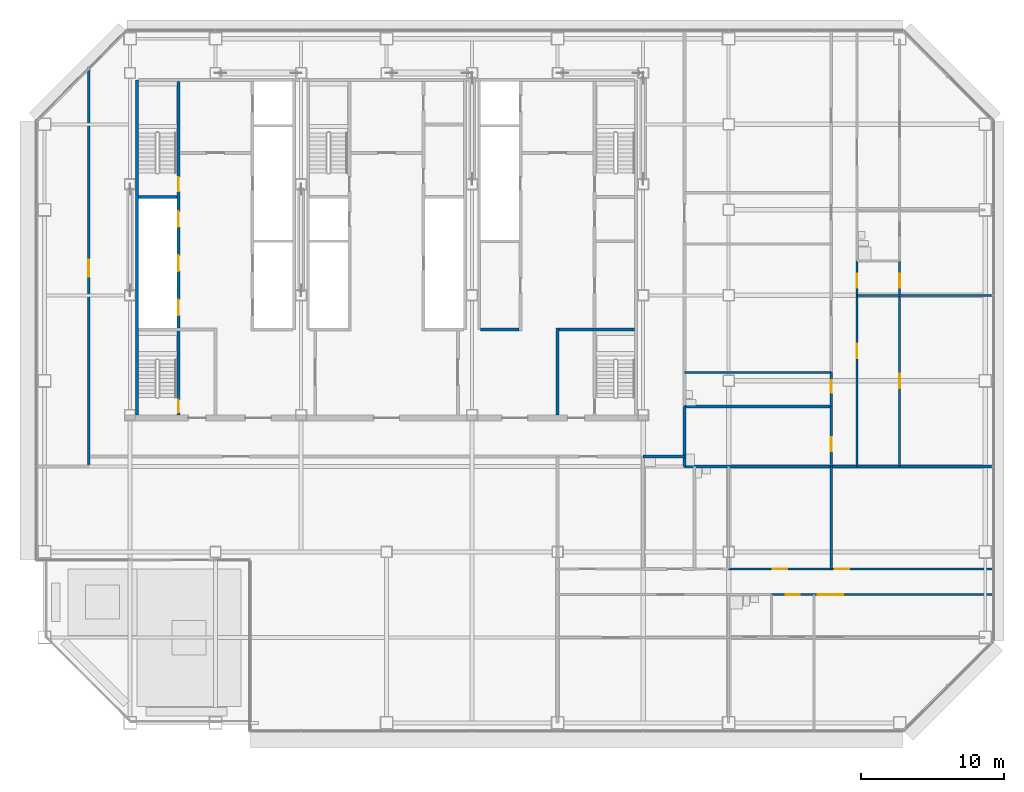
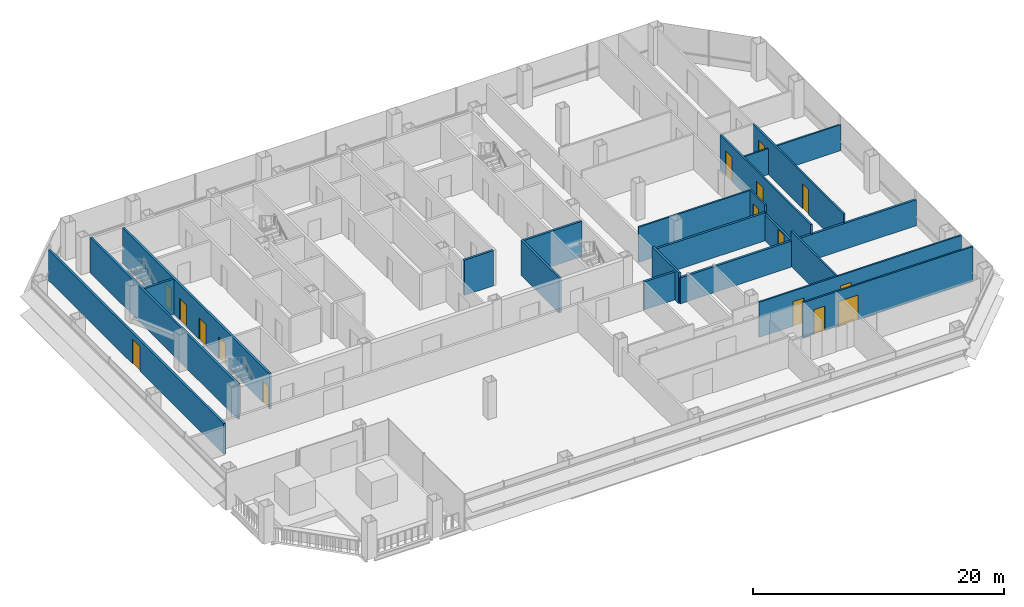
# One storey, part 21 of 28: 21 walls, 16 doors, 16 openings.
"""IFC4 building model written with IfcOpenShell, lengths in metres."""

from ifc_helpers import new_model, si_unit, direction, frame, frame_2d, origin, place, context, subcontext, project, spatial, rectangle, extrude, material, layer, layer_set, type_object, element, fill, save


model = new_model("IFC4")

# Units and contexts
model_context = context("Model", 3, precision=1e-05, world=origin(), true_north=direction((0.0, 1.0)))
body_context = subcontext(model_context, "Body", "Model", "MODEL_VIEW")
ifc_project = project(units=[si_unit("LENGTHUNIT", "METRE"), si_unit("AREAUNIT", "SQUARE_METRE"), si_unit("VOLUMEUNIT", "CUBIC_METRE"), si_unit("PLANEANGLEUNIT", "RADIAN"), si_unit("MASSUNIT", "GRAM", prefix="KILO")], contexts=[model_context])

# Site, building, storey
site_placement = place(None, origin())
site = spatial("IfcSite", under=ifc_project, at=site_placement, CompositionType="ELEMENT")
building_placement = place(site_placement, origin())
building = spatial("IfcBuilding", under=site, at=building_placement, Name="Sorahane Residences", CompositionType="ELEMENT")
storey_placement = place(building_placement, frame((0.0, 0.0, 60.60009765625)))
storey = spatial("IfcBuildingStorey", under=building, at=storey_placement, Name="L11", CompositionType="ELEMENT", Elevation=60.60009765625)

# Wall
ifc_material_1 = material(Name="Concrete C30", Category="concrete")
ifc_layer_1 = layer(ifc_material_1, 0.199951171875)
ifc_layer_set_1 = layer_set([ifc_layer_1], Name="Core face wall 200 EI 180")
wall_type_1 = type_object("IfcWallType", Name="Core face wall 200 EI 180", PredefinedType="SOLIDWALL", material=ifc_layer_set_1)
wall_1_placement = place(storey_placement, frame((6.5, 21.60009765625, 0.0), z_axis=(0.0, 0.0, 1.0), x_axis=(0.0, 1.0, 0.0)))
element("IfcWall", 1, at=wall_1_placement, inside=storey, type_object=wall_type_1, Name="L11 core face wall", PredefinedType="SOLIDWALL", context=body_context, shape_type="SweptSolid", body=[
    extrude(rectangle(XDim=23.5, YDim=0.199951171875, at=frame_2d((11.75, 0.0))), origin(), (0.0, 0.0, 1.0), 3.419921875),
])

# Wall, opening, door
ifc_material_2 = material(Name="Concrete blockwork C20 wall", Category="masonry")
ifc_layer_2 = layer(ifc_material_2, 0.199951171875)
ifc_layer_set_2 = layer_set([ifc_layer_2], Name="Corridor wall 200 EI 120")
wall_type_2 = type_object("IfcWallType", Name="Corridor wall 200 EI 120", PredefinedType="SOLIDWALL", material=ifc_layer_set_2)
wall_2_placement = place(storey_placement, frame((3.10009765625, 18.001953125, 0.0), z_axis=(0.0, 0.0, 1.0), x_axis=(0.0, 1.0, 0.0)))
wall_2 = element("IfcWall", 2, at=wall_2_placement, inside=storey, type_object=wall_type_2, Name="L11 corridor wall", PredefinedType="SOLIDWALL", context=body_context, shape_type="SweptSolid", body=[
    extrude(rectangle(XDim=27.947021484375, YDim=0.199951171875, at=frame_2d((13.9736328125, 0.0))), origin(), (0.0, 0.0, 1.0), 2.969970703125),
])
opening_1_placement = place(wall_2_placement, frame((13.300048828125, 0.0, 0.0)))
opening_1 = element("IfcOpeningElement", 3, at=opening_1_placement, cuts=wall_2, Name="Opening L11-28", PredefinedType="OPENING", context=body_context, shape_type="SweptSolid", body=[
    extrude(rectangle(XDim=1.199951171875, YDim=2.39990234375, at=frame_2d((0.60009765625, 1.199951171875))), frame((0.0, 0.10986328125, 0.0), z_axis=(0.0, -1.0, 0.0), x_axis=(1.0, 0.0, 0.0)), (0.0, 0.0, 1.0), 0.219970703125),
])
ifc_material_3 = material(Name="Steel", Category="steel")
door_type_1 = type_object("IfcDoorType", Name="Lobby door 1200x2400 FD60", OperationType="NOTDEFINED", PredefinedType="DOOR", material=ifc_material_3)
door_1_placement = place(opening_1_placement, origin())
door_1 = element("IfcDoor", 4, at=door_1_placement, inside=storey, type_object=door_type_1, Name="Lobby door L11-28", OperationType="SINGLE_SWING_RIGHT", OverallHeight=2.39990234375, OverallWidth=1.199951171875, PredefinedType="DOOR", context=body_context, shape_type="SweptSolid", body=[
    extrude(rectangle(XDim=1.199951171875, YDim=2.39990234375, at=frame_2d((0.60009765625, 1.199951171875))), frame((0.0, 0.02490234375, 0.0), z_axis=(0.0, -1.0, 0.0), x_axis=(1.0, 0.0, 0.0)), (0.0, 0.0, 1.0), 0.050048828125),
])
fill(opening_1, door_1)

# Walls
ifc_material_4 = material(Name="Concrete C30", Category="concrete")
ifc_layer_3 = layer(ifc_material_4, 0.199951171875)
ifc_layer_set_3 = layer_set([ifc_layer_3], Name="Front room wall 200 EI 120")
wall_type_3 = type_object("IfcWallType", Name="Front room wall 200 EI 120", PredefinedType="PARTITIONING", material=ifc_layer_set_3)
wall_3_placement = place(storey_placement, frame((36.0, 21.60009765625, 0.0), z_axis=(0.0, 0.0, 1.0), x_axis=(0.0, 1.0, 0.0)))
element("IfcWall", 5, at=wall_3_placement, inside=storey, type_object=wall_type_3, Name="L11 front room wall", PredefinedType="PARTITIONING", context=body_context, shape_type="SweptSolid", body=[
    extrude(rectangle(XDim=6.099853515625, YDim=0.199951171875, at=frame_2d((3.0498046875, 0.0))), origin(), (0.0, 0.0, 1.0), 3.419921875),
])
ifc_material_5 = material(Name="Concrete blockwork C20 wall", Category="masonry")
ifc_layer_4 = layer(ifc_material_5, 0.199951171875)
ifc_layer_set_4 = layer_set([ifc_layer_4], Name="Kitchen wall 200 EI 180")
wall_type_4 = type_object("IfcWallType", Name="Kitchen wall 200 EI 180", PredefinedType="SOLIDWALL", material=ifc_layer_set_4)
wall_4_placement = place(storey_placement, frame((44.89990234375, 18.0, 0.0), z_axis=(0.0, 0.0, 1.0), x_axis=(0.0, 1.0, 0.0)))
element("IfcWall", 6, at=wall_4_placement, inside=storey, type_object=wall_type_4, Name="L11 kitchen wall", PredefinedType="SOLIDWALL", context=body_context, shape_type="SweptSolid", body=[
    extrude(rectangle(XDim=4.199951171875, YDim=0.199951171875, at=frame_2d((2.10009765625, 0.0))), origin(), (0.0, 0.0, 1.0), 2.969970703125),
])

# Wall, opening, door
wall_5_placement = place(storey_placement, frame((55.199951171875, 18.0, 0.0), z_axis=(0.0, 0.0, 1.0), x_axis=(0.0, 1.0, 0.0)))
wall_5 = element("IfcWall", 7, at=wall_5_placement, inside=storey, type_object=wall_type_4, Name="L11 kitchen wall", PredefinedType="SOLIDWALL", context=body_context, shape_type="SweptSolid", body=[
    extrude(rectangle(XDim=4.199951171875, YDim=0.199951171875, at=frame_2d((2.10009765625, 0.0))), origin(), (0.0, 0.0, 1.0), 2.52001953125),
])
opening_2_placement = place(wall_5_placement, frame((1.06005859375, 0.0, 0.0)))
opening_2 = element("IfcOpeningElement", 8, at=opening_2_placement, cuts=wall_5, Name="Opening L11-14", PredefinedType="OPENING", context=body_context, shape_type="SweptSolid", body=[
    extrude(rectangle(XDim=1.0, YDim=2.39990234375, at=frame_2d((0.5, 1.199951171875))), frame((0.0, 0.10986328125, 0.0), z_axis=(0.0, -1.0, 0.0), x_axis=(1.0, 0.0, 0.0)), (0.0, 0.0, 1.0), 0.219970703125),
])
ifc_material_6 = material(Name="Steel", Category="steel")
door_type_2 = type_object("IfcDoorType", Name="Kitchen door 1000x2400 FD120", OperationType="NOTDEFINED", PredefinedType="DOOR", material=ifc_material_6)
door_2_placement = place(opening_2_placement, origin())
door_2 = element("IfcDoor", 9, at=door_2_placement, inside=storey, type_object=door_type_2, Name="Kitchen door L11-14", OperationType="SINGLE_SWING_RIGHT", OverallHeight=2.39990234375, OverallWidth=1.0, PredefinedType="DOOR", context=body_context, shape_type="SweptSolid", body=[
    extrude(rectangle(XDim=1.0, YDim=2.39990234375, at=frame_2d((0.5, 1.199951171875))), frame((0.0, 0.02490234375, 0.0), z_axis=(0.0, -1.0, 0.0), x_axis=(1.0, 0.0, 0.0)), (0.0, 0.0, 1.0), 0.050048828125),
])
fill(opening_2, door_2)

# Walls
wall_6_placement = place(storey_placement, frame((44.89990234375, 18.0, 0.0), z_axis=(0.0, 0.0, 1.0), x_axis=(1.0, 0.0, 0.0)))
element("IfcWall", 10, at=wall_6_placement, inside=storey, type_object=wall_type_4, Name="L11 kitchen wall", PredefinedType="SOLIDWALL", context=body_context, shape_type="SweptSolid", body=[
    extrude(rectangle(XDim=10.300048828125, YDim=0.199951171875, at=frame_2d((5.14990234375, 0.0))), origin(), (0.0, 0.0, 1.0), 2.52001953125),
])
wall_7_placement = place(storey_placement, frame((42.0, 18.699951171875, 0.0), z_axis=(0.0, 0.0, 1.0), x_axis=(1.0, 0.0, 0.0)))
element("IfcWall", 11, at=wall_7_placement, inside=storey, type_object=wall_type_4, Name="L11 kitchen wall", PredefinedType="SOLIDWALL", context=body_context, shape_type="SweptSolid", body=[
    extrude(rectangle(XDim=2.89990234375, YDim=0.199951171875, at=frame_2d((1.449951171875, 0.0))), origin(), (0.0, 0.0, 1.0), 2.719970703125),
])
wall_8_placement = place(storey_placement, frame((44.89990234375, 22.199951171875, 0.0), z_axis=(0.0, 0.0, 1.0), x_axis=(1.0, 0.0, 0.0)))
element("IfcWall", 12, at=wall_8_placement, inside=storey, type_object=wall_type_4, Name="L11 kitchen wall", PredefinedType="SOLIDWALL", context=body_context, shape_type="SweptSolid", body=[
    extrude(rectangle(XDim=10.300048828125, YDim=0.199951171875, at=frame_2d((5.14990234375, 0.0))), origin(), (0.0, 0.0, 1.0), 2.719970703125),
])
ifc_material_7 = material(Name="Gypsum board partition on steel studs", Category="steel")
ifc_layer_5 = layer(ifc_material_7, 0.14990234375)
ifc_layer_set_5 = layer_set([ifc_layer_5], Name="Partition 150 EI 90")
wall_type_5 = type_object("IfcWallType", Name="Partition 150 EI 90", PredefinedType="PARTITIONING", material=ifc_layer_set_5)
wall_9_placement = place(storey_placement, frame((55.199951171875, 10.800048828125, 0.0), z_axis=(0.0, 0.0, 1.0), x_axis=(0.0, 1.0, 0.0)))
element("IfcWall", 13, at=wall_9_placement, inside=storey, type_object=wall_type_5, Name="L11 partition", PredefinedType="PARTITIONING", context=body_context, shape_type="SweptSolid", body=[
    extrude(rectangle(XDim=7.199951171875, YDim=0.14990234375, at=frame_2d((3.60009765625, 0.0))), origin(), (0.0, 0.0, 1.0), 3.419921875),
])

# Wall, openings, doors
wall_10_placement = place(storey_placement, frame((57.0, 18.0, 0.0), z_axis=(0.0, 0.0, 1.0), x_axis=(0.0, 1.0, 0.0)))
wall_10 = element("IfcWall", 14, at=wall_10_placement, inside=storey, type_object=wall_type_5, Name="L11 partition", PredefinedType="PARTITIONING", context=body_context, shape_type="SweptSolid", body=[
    extrude(rectangle(XDim=14.39990234375, YDim=0.14990234375, at=frame_2d((7.199951171875, 0.0))), origin(), (0.0, 0.0, 1.0), 3.419921875),
])
opening_3_placement = place(wall_10_placement, frame((7.60009765625, 0.0, 0.0)))
opening_3 = element("IfcOpeningElement", 15, at=opening_3_placement, cuts=wall_10, Name="Opening L11-18", PredefinedType="OPENING", context=body_context, shape_type="SweptSolid", body=[
    extrude(rectangle(XDim=1.0, YDim=2.39990234375, at=frame_2d((0.5, 1.199951171875))), frame((0.0, 0.0849609375, 0.0), z_axis=(0.0, -1.0, 0.0), x_axis=(1.0, 0.0, 0.0)), (0.0, 0.0, 1.0), 0.169921875),
])
opening_4_placement = place(wall_10_placement, frame((12.52001953125, 0.0, 0.0)))
opening_4 = element("IfcOpeningElement", 16, at=opening_4_placement, cuts=wall_10, Name="Opening L11-19", PredefinedType="OPENING", context=body_context, shape_type="SweptSolid", body=[
    extrude(rectangle(XDim=1.0, YDim=2.39990234375, at=frame_2d((0.5, 1.199951171875))), frame((0.0, 0.0849609375, 0.0), z_axis=(0.0, -1.0, 0.0), x_axis=(1.0, 0.0, 0.0)), (0.0, 0.0, 1.0), 0.169921875),
])
ifc_material_8 = material(Name="Timber veneered fire door", Category="wood")
door_type_3 = type_object("IfcDoorType", Name="Room door 1000x2400 FD30", OperationType="NOTDEFINED", PredefinedType="DOOR", material=ifc_material_8)
door_3_placement = place(opening_3_placement, frame((1.0, 0.0, 0.0), z_axis=(0.0, 0.0, 1.0), x_axis=(-1.0, 0.0, 0.0)))
door_3 = element("IfcDoor", 17, at=door_3_placement, inside=storey, type_object=door_type_3, Name="Room door L11-18", OperationType="SINGLE_SWING_RIGHT", OverallHeight=2.39990234375, OverallWidth=1.0, PredefinedType="DOOR", context=body_context, shape_type="SweptSolid", body=[
    extrude(rectangle(XDim=1.0, YDim=2.39990234375, at=frame_2d((0.5, 1.199951171875))), frame((0.0, 0.02490234375, 0.0), z_axis=(0.0, -1.0, 0.0), x_axis=(1.0, 0.0, 0.0)), (0.0, 0.0, 1.0), 0.050048828125),
])
fill(opening_3, door_3)
door_4_placement = place(opening_4_placement, frame((1.0, 0.0, 0.0), z_axis=(0.0, 0.0, 1.0), x_axis=(-1.0, 0.0, 0.0)))
door_4 = element("IfcDoor", 18, at=door_4_placement, inside=storey, type_object=door_type_3, Name="Room door L11-19", OperationType="SINGLE_SWING_LEFT", OverallHeight=2.39990234375, OverallWidth=1.0, PredefinedType="DOOR", context=body_context, shape_type="SweptSolid", body=[
    extrude(rectangle(XDim=1.0, YDim=2.39990234375, at=frame_2d((0.5, 1.199951171875))), frame((0.0, 0.02490234375, 0.0), z_axis=(0.0, -1.0, 0.0), x_axis=(1.0, 0.0, 0.0)), (0.0, 0.0, 1.0), 0.050048828125),
])
fill(opening_4, door_4)

wall_11_placement = place(storey_placement, frame((60.0, 18.0, 0.0), z_axis=(0.0, 0.0, 1.0), x_axis=(0.0, 1.0, 0.0)))
wall_11 = element("IfcWall", 19, at=wall_11_placement, inside=storey, type_object=wall_type_5, Name="L11 partition", PredefinedType="PARTITIONING", context=body_context, shape_type="SweptSolid", body=[
    extrude(rectangle(XDim=14.39990234375, YDim=0.14990234375, at=frame_2d((7.199951171875, 0.0))), origin(), (0.0, 0.0, 1.0), 3.419921875),
])
opening_5_placement = place(wall_11_placement, frame((5.5, 0.0, 0.0)))
opening_5 = element("IfcOpeningElement", 20, at=opening_5_placement, cuts=wall_11, Name="Opening L11-21", PredefinedType="OPENING", context=body_context, shape_type="SweptSolid", body=[
    extrude(rectangle(XDim=1.0, YDim=2.39990234375, at=frame_2d((0.5, 1.199951171875))), frame((0.0, 0.0849609375, 0.0), z_axis=(0.0, -1.0, 0.0), x_axis=(1.0, 0.0, 0.0)), (0.0, 0.0, 1.0), 0.169921875),
])
opening_6_placement = place(wall_11_placement, frame((12.52001953125, 0.0, 0.0)))
opening_6 = element("IfcOpeningElement", 21, at=opening_6_placement, cuts=wall_11, Name="Opening L11-22", PredefinedType="OPENING", context=body_context, shape_type="SweptSolid", body=[
    extrude(rectangle(XDim=1.0, YDim=2.39990234375, at=frame_2d((0.5, 1.199951171875))), frame((0.0, 0.0849609375, 0.0), z_axis=(0.0, -1.0, 0.0), x_axis=(1.0, 0.0, 0.0)), (0.0, 0.0, 1.0), 0.169921875),
])
door_5_placement = place(opening_5_placement, frame((1.0, 0.0, 0.0), z_axis=(0.0, 0.0, 1.0), x_axis=(-1.0, 0.0, 0.0)))
door_5 = element("IfcDoor", 22, at=door_5_placement, inside=storey, type_object=door_type_3, Name="Room door L11-21", OperationType="SINGLE_SWING_RIGHT", OverallHeight=2.39990234375, OverallWidth=1.0, PredefinedType="DOOR", context=body_context, shape_type="SweptSolid", body=[
    extrude(rectangle(XDim=1.0, YDim=2.39990234375, at=frame_2d((0.5, 1.199951171875))), frame((0.0, 0.02490234375, 0.0), z_axis=(0.0, -1.0, 0.0), x_axis=(1.0, 0.0, 0.0)), (0.0, 0.0, 1.0), 0.050048828125),
])
fill(opening_5, door_5)
door_6_placement = place(opening_6_placement, frame((1.0, 0.0, 0.0), z_axis=(0.0, 0.0, 1.0), x_axis=(-1.0, 0.0, 0.0)))
door_6 = element("IfcDoor", 23, at=door_6_placement, inside=storey, type_object=door_type_3, Name="Room door L11-22", OperationType="SINGLE_SWING_LEFT", OverallHeight=2.39990234375, OverallWidth=1.0, PredefinedType="DOOR", context=body_context, shape_type="SweptSolid", body=[
    extrude(rectangle(XDim=1.0, YDim=2.39990234375, at=frame_2d((0.5, 1.199951171875))), frame((0.0, 0.02490234375, 0.0), z_axis=(0.0, -1.0, 0.0), x_axis=(1.0, 0.0, 0.0)), (0.0, 0.0, 1.0), 0.050048828125),
])
fill(opening_6, door_6)

wall_12_placement = place(storey_placement, frame((48.0, 10.800048828125, 0.0), z_axis=(0.0, 0.0, 1.0), x_axis=(1.0, 0.0, 0.0)))
wall_12 = element("IfcWall", 24, at=wall_12_placement, inside=storey, type_object=wall_type_5, Name="L11 partition", PredefinedType="PARTITIONING", context=body_context, shape_type="SweptSolid", body=[
    extrude(rectangle(XDim=18.60009765625, YDim=0.14990234375, at=frame_2d((9.300048828125, 0.0))), origin(), (0.0, 0.0, 1.0), 3.419921875),
])
opening_7_placement = place(wall_12_placement, frame((3.10009765625, 0.0, 0.0)))
opening_7 = element("IfcOpeningElement", 25, at=opening_7_placement, cuts=wall_12, Name="Opening L11-04", PredefinedType="OPENING", context=body_context, shape_type="SweptSolid", body=[
    extrude(rectangle(XDim=1.0, YDim=2.39990234375, at=frame_2d((0.5, 1.199951171875))), frame((0.0, 0.0849609375, 0.0), z_axis=(0.0, -1.0, 0.0), x_axis=(1.0, 0.0, 0.0)), (0.0, 0.0, 1.0), 0.169921875),
])
opening_8_placement = place(wall_12_placement, frame((7.449951171875, 0.0, 0.0)))
opening_8 = element("IfcOpeningElement", 26, at=opening_8_placement, cuts=wall_12, Name="Opening L11-05", PredefinedType="OPENING", context=body_context, shape_type="SweptSolid", body=[
    extrude(rectangle(XDim=1.0, YDim=2.39990234375, at=frame_2d((0.5, 1.199951171875))), frame((0.0, 0.0849609375, 0.0), z_axis=(0.0, -1.0, 0.0), x_axis=(1.0, 0.0, 0.0)), (0.0, 0.0, 1.0), 0.169921875),
])
door_7_placement = place(opening_7_placement, origin())
door_7 = element("IfcDoor", 27, at=door_7_placement, inside=storey, type_object=door_type_3, Name="Room door L11-04", OperationType="SINGLE_SWING_RIGHT", OverallHeight=2.39990234375, OverallWidth=1.0, PredefinedType="DOOR", context=body_context, shape_type="SweptSolid", body=[
    extrude(rectangle(XDim=1.0, YDim=2.39990234375, at=frame_2d((0.5, 1.199951171875))), frame((0.0, 0.02490234375, 0.0), z_axis=(0.0, -1.0, 0.0), x_axis=(1.0, 0.0, 0.0)), (0.0, 0.0, 1.0), 0.050048828125),
])
fill(opening_7, door_7)
door_8_placement = place(opening_8_placement, origin())
door_8 = element("IfcDoor", 28, at=door_8_placement, inside=storey, type_object=door_type_3, Name="Room door L11-05", OperationType="SINGLE_SWING_RIGHT", OverallHeight=2.39990234375, OverallWidth=1.0, PredefinedType="DOOR", context=body_context, shape_type="SweptSolid", body=[
    extrude(rectangle(XDim=1.0, YDim=2.39990234375, at=frame_2d((0.5, 1.199951171875))), frame((0.0, 0.02490234375, 0.0), z_axis=(0.0, -1.0, 0.0), x_axis=(1.0, 0.0, 0.0)), (0.0, 0.0, 1.0), 0.050048828125),
])
fill(opening_8, door_8)

# Wall
wall_13_placement = place(storey_placement, frame((57.0, 30.0, 0.0), z_axis=(0.0, 0.0, 1.0), x_axis=(1.0, 0.0, 0.0)))
element("IfcWall", 29, at=wall_13_placement, inside=storey, type_object=wall_type_5, Name="L11 partition", PredefinedType="PARTITIONING", context=body_context, shape_type="SweptSolid", body=[
    extrude(rectangle(XDim=9.60009765625, YDim=0.14990234375, at=frame_2d((4.800048828125, 0.0))), origin(), (0.0, 0.0, 1.0), 2.52001953125),
])

# Wall, openings, doors
wall_14_placement = place(storey_placement, frame((51.0, 9.0, 0.0), z_axis=(0.0, 0.0, 1.0), x_axis=(1.0, 0.0, 0.0)))
wall_14 = element("IfcWall", 30, at=wall_14_placement, inside=storey, type_object=wall_type_5, Name="L11 partition", PredefinedType="PARTITIONING", context=body_context, shape_type="SweptSolid", body=[
    extrude(rectangle(XDim=15.60009765625, YDim=0.14990234375, at=frame_2d((7.800048828125, 0.0))), origin(), (0.0, 0.0, 1.0), 3.419921875),
])
opening_9_placement = place(wall_14_placement, frame((1.0, 0.0, 0.0)))
opening_9 = element("IfcOpeningElement", 31, at=opening_9_placement, cuts=wall_14, Name="Opening L11-07", PredefinedType="OPENING", context=body_context, shape_type="SweptSolid", body=[
    extrude(rectangle(XDim=1.0, YDim=2.39990234375, at=frame_2d((0.5, 1.199951171875))), frame((0.0, 0.0849609375, 0.0), z_axis=(0.0, -1.0, 0.0), x_axis=(1.0, 0.0, 0.0)), (0.0, 0.0, 1.0), 0.169921875),
])
opening_10_placement = place(wall_14_placement, frame((3.25, 0.0, 0.0)))
opening_10 = element("IfcOpeningElement", 32, at=opening_10_placement, cuts=wall_14, Name="Opening L11-08", PredefinedType="OPENING", context=body_context, shape_type="SweptSolid", body=[
    extrude(rectangle(XDim=1.800048828125, YDim=2.39990234375, at=frame_2d((0.89990234375, 1.199951171875))), frame((0.0, 0.0849609375, 0.0), z_axis=(0.0, -1.0, 0.0), x_axis=(1.0, 0.0, 0.0)), (0.0, 0.0, 1.0), 0.169921875),
])
ifc_material_9 = material(Name="Timber veneered fire door", Category="wood")
door_type_4 = type_object("IfcDoorType", Name="Double door 1800x2400 FD30", OperationType="NOTDEFINED", PredefinedType="DOOR", material=ifc_material_9)
door_9_placement = place(opening_10_placement, frame((1.800048828125, 0.0, 0.0), z_axis=(0.0, 0.0, 1.0), x_axis=(-1.0, 0.0, 0.0)))
door_9 = element("IfcDoor", 33, at=door_9_placement, inside=storey, type_object=door_type_4, Name="Double door L11-08", OperationType="SINGLE_SWING_LEFT", OverallHeight=2.39990234375, OverallWidth=1.800048828125, PredefinedType="DOOR", context=body_context, shape_type="SweptSolid", body=[
    extrude(rectangle(XDim=1.800048828125, YDim=2.39990234375, at=frame_2d((0.89990234375, 1.199951171875))), frame((0.0, 0.02490234375, 0.0), z_axis=(0.0, -1.0, 0.0), x_axis=(1.0, 0.0, 0.0)), (0.0, 0.0, 1.0), 0.050048828125),
])
fill(opening_10, door_9)
door_10_placement = place(opening_9_placement, frame((1.0, 0.0, 0.0), z_axis=(0.0, 0.0, 1.0), x_axis=(-1.0, 0.0, 0.0)))
door_10 = element("IfcDoor", 34, at=door_10_placement, inside=storey, type_object=door_type_3, Name="Room door L11-07", OperationType="SINGLE_SWING_RIGHT", OverallHeight=2.39990234375, OverallWidth=1.0, PredefinedType="DOOR", context=body_context, shape_type="SweptSolid", body=[
    extrude(rectangle(XDim=1.0, YDim=2.39990234375, at=frame_2d((0.5, 1.199951171875))), frame((0.0, 0.02490234375, 0.0), z_axis=(0.0, -1.0, 0.0), x_axis=(1.0, 0.0, 0.0)), (0.0, 0.0, 1.0), 0.050048828125),
])
fill(opening_9, door_10)

# Walls
ifc_material_10 = material(Name="Concrete blockwork C20 wall", Category="masonry")
ifc_layer_6 = layer(ifc_material_10, 0.199951171875)
ifc_layer_set_6 = layer_set([ifc_layer_6], Name="Party wall 200 EI 120")
wall_type_6 = type_object("IfcWallType", Name="Party wall 200 EI 120", PredefinedType="SOLIDWALL", material=ifc_layer_set_6)
wall_15_placement = place(storey_placement, frame((55.199951171875, 18.0, 0.0), z_axis=(0.0, 0.0, 1.0), x_axis=(1.0, 0.0, 0.0)))
element("IfcWall", 35, at=wall_15_placement, inside=storey, type_object=wall_type_6, Name="L11 party wall", PredefinedType="SOLIDWALL", context=body_context, shape_type="SweptSolid", body=[
    extrude(rectangle(XDim=11.400146484375, YDim=0.199951171875, at=frame_2d((5.7001953125, 0.0))), origin(), (0.0, 0.0, 1.0), 2.52001953125),
])
ifc_material_11 = material(Name="Concrete C30", Category="concrete")
ifc_layer_7 = layer(ifc_material_11, 0.199951171875)
ifc_layer_set_7 = layer_set([ifc_layer_7], Name="Service room partition 200 EI 60")
wall_type_7 = type_object("IfcWallType", Name="Service room partition 200 EI 60", PredefinedType="PARTITIONING", material=ifc_layer_set_7)
wall_16_placement = place(storey_placement, frame((30.60009765625, 27.60009765625, 0.0), z_axis=(0.0, 0.0, 1.0), x_axis=(1.0, 0.0, 0.0)))
element("IfcWall", 36, at=wall_16_placement, inside=storey, type_object=wall_type_7, Name="L11 service room wall", PredefinedType="PARTITIONING", context=body_context, shape_type="SweptSolid", body=[
    extrude(rectangle(XDim=2.699951171875, YDim=0.199951171875, at=frame_2d((1.35009765625, 0.0))), origin(), (0.0, 0.0, 1.0), 3.419921875),
])

# Wall, openings, doors
ifc_material_12 = material(Name="Concrete C30", Category="concrete")
ifc_layer_8 = layer(ifc_material_12, 0.199951171875)
ifc_layer_set_8 = layer_set([ifc_layer_8], Name="Stair enclosure wall 200 EI 120")
wall_type_8 = type_object("IfcWallType", Name="Stair enclosure wall 200 EI 120", PredefinedType="SOLIDWALL", material=ifc_layer_set_8)
wall_17_placement = place(storey_placement, frame((9.39990234375, 21.60009765625, 0.0), z_axis=(0.0, 0.0, 1.0), x_axis=(0.0, 1.0, 0.0)))
wall_17 = element("IfcWall", 37, at=wall_17_placement, inside=storey, type_object=wall_type_8, Name="L11 stair enclosure wall", PredefinedType="SOLIDWALL", context=body_context, shape_type="SweptSolid", body=[
    extrude(rectangle(XDim=23.39990234375, YDim=0.199951171875, at=frame_2d((11.699951171875, 0.0))), origin(), (0.0, 0.0, 1.0), 3.419921875),
])
opening_11_placement = place(wall_17_placement, frame((7.0, 0.0, 0.0)))
opening_11 = element("IfcOpeningElement", 38, at=opening_11_placement, cuts=wall_17, Name="Opening L11-C15", PredefinedType="OPENING", context=body_context, shape_type="SweptSolid", body=[
    extrude(rectangle(XDim=1.10009765625, YDim=2.10009765625, at=frame_2d((0.550048828125, 1.050048828125))), frame((0.0, 0.10986328125, 0.0), z_axis=(0.0, -1.0, 0.0), x_axis=(1.0, 0.0, 0.0)), (0.0, 0.0, 1.0), 0.219970703125),
])
opening_12_placement = place(wall_17_placement, frame((10.10009765625, 0.0, 0.0)))
opening_12 = element("IfcOpeningElement", 39, at=opening_12_placement, cuts=wall_17, Name="Opening L11-C16", PredefinedType="OPENING", context=body_context, shape_type="SweptSolid", body=[
    extrude(rectangle(XDim=1.10009765625, YDim=2.10009765625, at=frame_2d((0.550048828125, 1.050048828125))), frame((0.0, 0.10986328125, 0.0), z_axis=(0.0, -1.0, 0.0), x_axis=(1.0, 0.0, 0.0)), (0.0, 0.0, 1.0), 0.219970703125),
])
opening_13_placement = place(wall_17_placement, frame((13.199951171875, 0.0, 0.0)))
opening_13 = element("IfcOpeningElement", 40, at=opening_13_placement, cuts=wall_17, Name="Opening L11-C17", PredefinedType="OPENING", context=body_context, shape_type="SweptSolid", body=[
    extrude(rectangle(XDim=1.10009765625, YDim=2.10009765625, at=frame_2d((0.550048828125, 1.050048828125))), frame((0.0, 0.10986328125, 0.0), z_axis=(0.0, -1.0, 0.0), x_axis=(1.0, 0.0, 0.0)), (0.0, 0.0, 1.0), 0.219970703125),
])
opening_14_placement = place(wall_17_placement, frame((15.699951171875, 0.0, 0.0)))
opening_14 = element("IfcOpeningElement", 41, at=opening_14_placement, cuts=wall_17, Name="Opening L11-C21", PredefinedType="OPENING", context=body_context, shape_type="SweptSolid", body=[
    extrude(rectangle(XDim=1.0, YDim=2.10009765625, at=frame_2d((0.5, 1.050048828125))), frame((0.0, 0.10986328125, 0.0), z_axis=(0.0, -1.0, 0.0), x_axis=(1.0, 0.0, 0.0)), (0.0, 0.0, 1.0), 0.219970703125),
])
opening_15_placement = place(wall_17_placement, frame((0.175048828125, 0.0, 0.0)))
opening_15 = element("IfcOpeningElement", 42, at=opening_15_placement, cuts=wall_17, Name="Opening L11-C24", PredefinedType="OPENING", context=body_context, shape_type="SweptSolid", body=[
    extrude(rectangle(XDim=0.89990234375, YDim=2.10009765625, at=frame_2d((0.449951171875, 1.050048828125))), frame((0.0, 0.10986328125, 0.0), z_axis=(0.0, -1.0, 0.0), x_axis=(1.0, 0.0, 0.0)), (0.0, 0.0, 1.0), 0.219970703125),
])
ifc_material_13 = material(Name="Aluminium and stainless steel", Category="steel")
door_type_5 = type_object("IfcDoorType", Name="Lift landing door 1100x2100 E 60", OperationType="NOTDEFINED", PredefinedType="DOOR", material=ifc_material_13)
door_11_placement = place(opening_11_placement, origin())
door_11 = element("IfcDoor", 43, at=door_11_placement, inside=storey, type_object=door_type_5, Name="Lift landing door LR1 L11", OperationType="DOUBLE_DOOR_SLIDING", OverallHeight=2.10009765625, OverallWidth=1.10009765625, PredefinedType="DOOR", context=body_context, shape_type="SweptSolid", body=[
    extrude(rectangle(XDim=1.10009765625, YDim=2.10009765625, at=frame_2d((0.550048828125, 1.050048828125))), frame((0.0, 0.02490234375, 0.0), z_axis=(0.0, -1.0, 0.0), x_axis=(1.0, 0.0, 0.0)), (0.0, 0.0, 1.0), 0.050048828125),
])
fill(opening_11, door_11)
door_12_placement = place(opening_12_placement, origin())
door_12 = element("IfcDoor", 44, at=door_12_placement, inside=storey, type_object=door_type_5, Name="Lift landing door LR2 L11", OperationType="DOUBLE_DOOR_SLIDING", OverallHeight=2.10009765625, OverallWidth=1.10009765625, PredefinedType="DOOR", context=body_context, shape_type="SweptSolid", body=[
    extrude(rectangle(XDim=1.10009765625, YDim=2.10009765625, at=frame_2d((0.550048828125, 1.050048828125))), frame((0.0, 0.02490234375, 0.0), z_axis=(0.0, -1.0, 0.0), x_axis=(1.0, 0.0, 0.0)), (0.0, 0.0, 1.0), 0.050048828125),
])
fill(opening_12, door_12)
door_13_placement = place(opening_13_placement, origin())
door_13 = element("IfcDoor", 45, at=door_13_placement, inside=storey, type_object=door_type_5, Name="Lift landing door LR3 L11", OperationType="DOUBLE_DOOR_SLIDING", OverallHeight=2.10009765625, OverallWidth=1.10009765625, PredefinedType="DOOR", context=body_context, shape_type="SweptSolid", body=[
    extrude(rectangle(XDim=1.10009765625, YDim=2.10009765625, at=frame_2d((0.550048828125, 1.050048828125))), frame((0.0, 0.02490234375, 0.0), z_axis=(0.0, -1.0, 0.0), x_axis=(1.0, 0.0, 0.0)), (0.0, 0.0, 1.0), 0.050048828125),
])
fill(opening_13, door_13)
ifc_material_14 = material(Name="Steel", Category="steel")
door_type_6 = type_object("IfcDoorType", Name="Stair door 1000x2100 FD120", OperationType="NOTDEFINED", PredefinedType="DOOR", material=ifc_material_14)
door_14_placement = place(opening_14_placement, origin())
door_14 = element("IfcDoor", 46, at=door_14_placement, inside=storey, type_object=door_type_6, Name="Stair door S1 L11", OperationType="SINGLE_SWING_LEFT", OverallHeight=2.10009765625, OverallWidth=1.0, PredefinedType="DOOR", context=body_context, shape_type="SweptSolid", body=[
    extrude(rectangle(XDim=1.0, YDim=2.10009765625, at=frame_2d((0.5, 1.050048828125))), frame((0.0, 0.02490234375, 0.0), z_axis=(0.0, -1.0, 0.0), x_axis=(1.0, 0.0, 0.0)), (0.0, 0.0, 1.0), 0.050048828125),
])
fill(opening_14, door_14)
ifc_material_15 = material(Name="Steel", Category="steel")
door_type_7 = type_object("IfcDoorType", Name="Stair door 900x2100 FD120", OperationType="NOTDEFINED", PredefinedType="DOOR", material=ifc_material_15)
door_15_placement = place(opening_15_placement, origin())
door_15 = element("IfcDoor", 47, at=door_15_placement, inside=storey, type_object=door_type_7, Name="Stair door S4 L11", OperationType="SINGLE_SWING_LEFT", OverallHeight=2.10009765625, OverallWidth=0.89990234375, PredefinedType="DOOR", context=body_context, shape_type="SweptSolid", body=[
    extrude(rectangle(XDim=0.89990234375, YDim=2.10009765625, at=frame_2d((0.449951171875, 1.050048828125))), frame((0.0, 0.02490234375, 0.0), z_axis=(0.0, -1.0, 0.0), x_axis=(1.0, 0.0, 0.0)), (0.0, 0.0, 1.0), 0.050048828125),
])
fill(opening_15, door_15)

# Walls
wall_18_placement = place(storey_placement, frame((36.10009765625, 27.60009765625, 0.0), z_axis=(0.0, 0.0, 1.0), x_axis=(1.0, 0.0, 0.0)))
element("IfcWall", 48, at=wall_18_placement, inside=storey, type_object=wall_type_8, Name="L11 stair enclosure wall", PredefinedType="SOLIDWALL", context=body_context, shape_type="SweptSolid", body=[
    extrude(rectangle(XDim=5.2998046875, YDim=0.199951171875, at=frame_2d((2.64990234375, 0.0))), origin(), (0.0, 0.0, 1.0), 3.419921875),
])
wall_19_placement = place(storey_placement, frame((6.60009765625, 36.89990234375, 0.0), z_axis=(0.0, 0.0, 1.0), x_axis=(1.0, 0.0, 0.0)))
element("IfcWall", 49, at=wall_19_placement, inside=storey, type_object=wall_type_8, Name="L11 stair enclosure wall", PredefinedType="SOLIDWALL", context=body_context, shape_type="SweptSolid", body=[
    extrude(rectangle(XDim=2.699951171875, YDim=0.199951171875, at=frame_2d((1.35009765625, 0.0))), origin(), (0.0, 0.0, 1.0), 3.419921875),
])

# Wall, opening, door
ifc_material_16 = material(Name="Gypsum board partition on steel studs", Category="steel")
ifc_layer_9 = layer(ifc_material_16, 0.14990234375)
ifc_layer_set_9 = layer_set([ifc_layer_9], Name="Wet wall 150 EI 90")
wall_type_9 = type_object("IfcWallType", Name="Wet wall 150 EI 90", PredefinedType="PARTITIONING", material=ifc_layer_set_9)
wall_20_placement = place(storey_placement, frame((55.199951171875, 22.199951171875, 0.0), z_axis=(0.0, 0.0, 1.0), x_axis=(0.0, 1.0, 0.0)))
wall_20 = element("IfcWall", 50, at=wall_20_placement, inside=storey, type_object=wall_type_9, Name="L11 wet wall", PredefinedType="PARTITIONING", context=body_context, shape_type="SweptSolid", body=[
    extrude(rectangle(XDim=2.400146484375, YDim=0.14990234375, at=frame_2d((1.2001953125, 0.0))), origin(), (0.0, 0.0, 1.0), 3.419921875),
])
opening_16_placement = place(wall_20_placement, frame((0.949951171875, 0.0, 0.0)))
opening_16 = element("IfcOpeningElement", 51, at=opening_16_placement, cuts=wall_20, Name="Opening L11-15", PredefinedType="OPENING", context=body_context, shape_type="SweptSolid", body=[
    extrude(rectangle(XDim=0.89990234375, YDim=2.39990234375, at=frame_2d((0.449951171875, 1.199951171875))), frame((0.0, 0.0849609375, 0.0), z_axis=(0.0, -1.0, 0.0), x_axis=(1.0, 0.0, 0.0)), (0.0, 0.0, 1.0), 0.169921875),
])
ifc_material_17 = material(Name="Timber veneered fire door", Category="wood")
door_type_8 = type_object("IfcDoorType", Name="Bathroom door 900x2400 FD30", OperationType="NOTDEFINED", PredefinedType="DOOR", material=ifc_material_17)
door_16_placement = place(opening_16_placement, frame((0.89990234375, 0.0, 0.0), z_axis=(0.0, 0.0, 1.0), x_axis=(-1.0, 0.0, 0.0)))
door_16 = element("IfcDoor", 52, at=door_16_placement, inside=storey, type_object=door_type_8, Name="Bathroom door L11-15", OperationType="SINGLE_SWING_RIGHT", OverallHeight=2.39990234375, OverallWidth=0.89990234375, PredefinedType="DOOR", context=body_context, shape_type="SweptSolid", body=[
    extrude(rectangle(XDim=0.89990234375, YDim=2.39990234375, at=frame_2d((0.449951171875, 1.199951171875))), frame((0.0, 0.02490234375, 0.0), z_axis=(0.0, -1.0, 0.0), x_axis=(1.0, 0.0, 0.0)), (0.0, 0.0, 1.0), 0.050048828125),
])
fill(opening_16, door_16)

# Wall
wall_21_placement = place(storey_placement, frame((44.89990234375, 24.60009765625, 0.0), z_axis=(0.0, 0.0, 1.0), x_axis=(1.0, 0.0, 0.0)))
element("IfcWall", 53, at=wall_21_placement, inside=storey, type_object=wall_type_9, Name="L11 wet wall", PredefinedType="PARTITIONING", context=body_context, shape_type="SweptSolid", body=[
    extrude(rectangle(XDim=10.300048828125, YDim=0.14990234375, at=frame_2d((5.14990234375, 0.0))), origin(), (0.0, 0.0, 1.0), 3.419921875),
])

save(model, "model.ifc")
